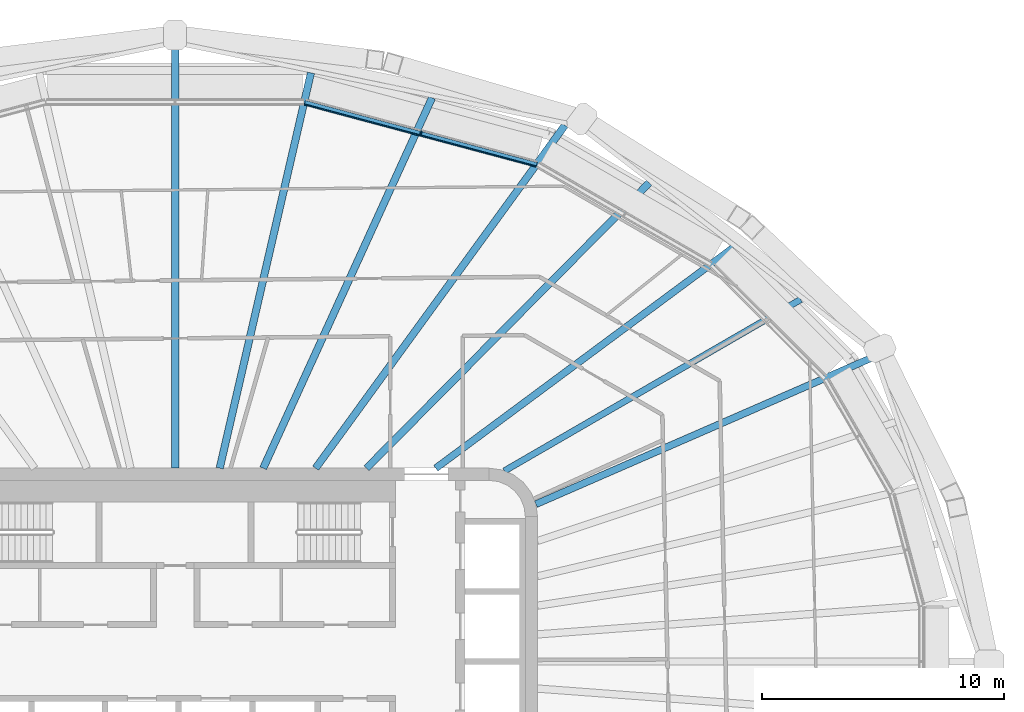
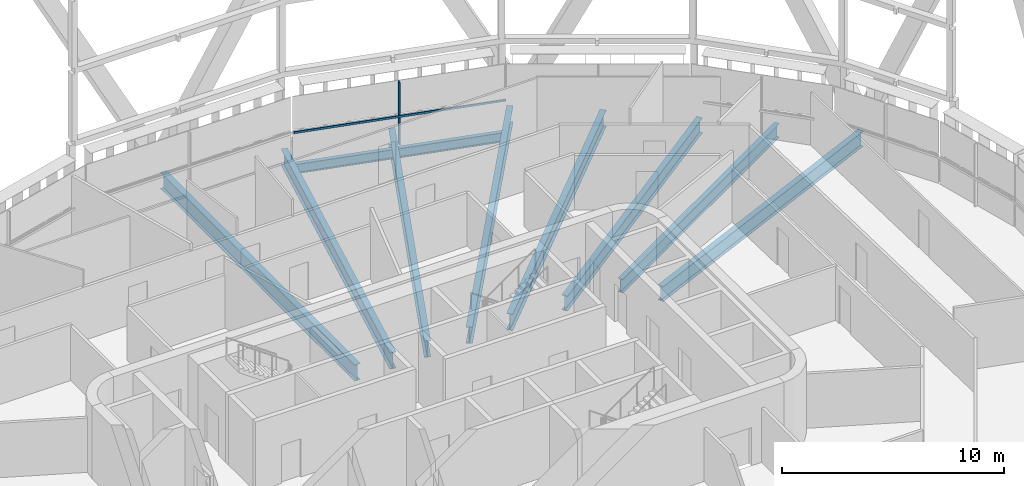
# One storey, part 7 of 25: 9 beams, 2 members, 1 element without a shape of its own.
"""IFC4 building model written with IfcOpenShell, lengths in metres."""

from ifc_helpers import new_model, si_unit, direction, frame, origin, origin_2d, place, context, subcontext, project, spatial, rectangle, i_section, extrude, material, layer, layer_set, material_profile, profile_set, type_object, element, aggregate, save


model = new_model("IFC4")

# Units and contexts
model_context = context("Model", 3, precision=1e-05, world=origin(), true_north=direction((0.0, 1.0)))
body_context = subcontext(model_context, "Body", "Model", "MODEL_VIEW")
ifc_project = project(units=[si_unit("LENGTHUNIT", "METRE"), si_unit("AREAUNIT", "SQUARE_METRE"), si_unit("VOLUMEUNIT", "CUBIC_METRE"), si_unit("PLANEANGLEUNIT", "RADIAN"), si_unit("MASSUNIT", "GRAM", prefix="KILO")], contexts=[model_context])

# Site, building, storey
site_placement = place(None, origin())
site = spatial("IfcSite", under=ifc_project, at=site_placement, CompositionType="ELEMENT")
building_placement = place(site_placement, origin())
building = spatial("IfcBuilding", under=site, at=building_placement, Name="Sahrelin Media Tower", CompositionType="ELEMENT")
storey_placement = place(building_placement, frame((0.0, 0.0, 181.60009765625)))
storey = spatial("IfcBuildingStorey", under=building, at=storey_placement, Name="L38", CompositionType="ELEMENT", Elevation=181.60009765625)

# Beam
ifc_material_1 = material(Name="Steel S355", Category="steel")
ifc_material_profile_1 = material_profile(ifc_material_1, i_section(OverallWidth=0.208740234375, OverallDepth=0.5283203125, WebThickness=0.009521484375, FlangeThickness=0.01318359375, FilletRadius=0.0126953125, at=origin_2d()), Name="UB 533x210x82")
ifc_profile_set_1 = profile_set([ifc_material_profile_1], Name="Steel S355")
beam_type_1 = type_object("IfcBeamType", Name="Edge beam EB6", PredefinedType="BEAM", material=ifc_profile_set_1)
beam_1_placement = place(storey_placement, frame((5.36572265625, 23.1201171875, -0.414306640625), z_axis=(0.965925570778, -0.258819998681, 0.0), x_axis=(0.258819998681, 0.965925570778, 0.0)))
element("IfcBeam", 1, at=beam_1_placement, inside=storey, type_object=beam_type_1, Name="Edge beam L38-20", PredefinedType="BEAM", context=body_context, shape_type="SweptSolid", body=[
    extrude(i_section(OverallWidth=0.208740234375, OverallDepth=0.5283203125, WebThickness=0.009521484375, FlangeThickness=0.01318359375, FilletRadius=0.0126953125, at=origin_2d()), origin(), (0.0, 0.0, 1.0), 9.9375),
])

# Curtain wall, member
ifc_material_2 = material(Name="Champagne anodised aluminium 6063-T6", Category="aluminium")
ifc_layer = layer(ifc_material_2, 0.14990234375)
ifc_layer_set = layer_set([ifc_layer], Name="Tower ribbon curtain wall")
curtain_wall_type = type_object("IfcCurtainWallType", Name="Tower ribbon curtain wall", PredefinedType="NOTDEFINED", material=ifc_layer_set)
curtain_wall_placement = place(storey_placement, frame((10.203857421875, 21.97900390625, 0.0), z_axis=(0.0, 0.0, 1.0), x_axis=(1.0, 0.0, 0.0)))
curtain_wall = element("IfcCurtainWall", 2, at=curtain_wall_placement, inside=storey, type_object=curtain_wall_type, Name="L38:CW:L38-05", PredefinedType="NOTDEFINED")
ifc_material_profile_2 = material_profile(ifc_material_2, rectangle(XDim=0.06005859375, YDim=0.175048828125, at=origin_2d()), Name="Mullion 60x175")
ifc_profile_set_2 = profile_set([ifc_material_profile_2], Name="Champagne anodised aluminium 6063-T6")
member_type_1 = type_object("IfcMemberType", Name="Mullion 60x175 CW1B", PredefinedType="MULLION", material=ifc_profile_set_2)
member_1_placement = place(storey_placement, frame((10.176025390625, 21.875, 0.0), z_axis=(0.0, 0.0, 1.0), x_axis=(-0.965927181449, 0.258813987523, 0.0)))
member_1 = element("IfcMember", 3, at=member_1_placement, type_object=member_type_1, Name="L38:CWM:L38-05", PredefinedType="MULLION", context=body_context, shape_type="SweptSolid", body=[
    extrude(rectangle(XDim=0.06005859375, YDim=0.175048828125, at=origin_2d()), origin(), (0.0, 0.0, 1.0), 3.448486328125),
])

# Beams
ifc_material_profile_3 = material_profile(ifc_material_1, i_section(OverallWidth=0.291748046875, OverallDepth=0.8349609375, WebThickness=0.013916015625, FlangeThickness=0.018798828125, FilletRadius=0.017822265625, at=origin_2d()), Name="UB 838x292x176")
ifc_profile_set_3 = profile_set([ifc_material_profile_3], Name="Steel S355")
beam_type_2 = type_object("IfcBeamType", Name="Radial primary beam PB10", PredefinedType="BEAM", material=ifc_profile_set_3)
beam_2_placement = place(storey_placement, frame((14.932861328125, 6.509765625, -0.567626953125), z_axis=(0.916683907523, 0.399613079977, 0.0), x_axis=(-0.399613079977, 0.916683907523, 0.0)))
element("IfcBeam", 4, at=beam_2_placement, inside=storey, type_object=beam_type_2, Name="Radial beam L38-03", PredefinedType="BEAM", context=body_context, shape_type="SweptSolid", body=[
    extrude(i_section(OverallWidth=0.291748046875, OverallDepth=0.8349609375, WebThickness=0.013916015625, FlangeThickness=0.018798828125, FilletRadius=0.017822265625, at=origin_2d()), origin(), (0.0, 0.0, 1.0), 15.21484375),
])
beam_3_placement = place(storey_placement, frame((10.790283203125, 8.0, -0.567626953125), z_axis=(0.803305203739, 0.595567586128, 0.0), x_axis=(-0.595567586128, 0.803305203739, 0.0)))
element("IfcBeam", 5, at=beam_3_placement, inside=storey, type_object=beam_type_2, Name="Radial beam L38-04", PredefinedType="BEAM", context=body_context, shape_type="SweptSolid", body=[
    extrude(i_section(OverallWidth=0.291748046875, OverallDepth=0.8349609375, WebThickness=0.013916015625, FlangeThickness=0.018798828125, FilletRadius=0.017822265625, at=origin_2d()), origin(), (0.0, 0.0, 1.0), 15.3310546875),
])
ifc_material_profile_4 = material_profile(ifc_material_1, i_section(OverallWidth=0.30322265625, OverallDepth=0.903076171875, WebThickness=0.01513671875, FlangeThickness=0.020263671875, FilletRadius=0.01904296875, at=origin_2d()), Name="UB 914x305x201")
ifc_profile_set_4 = profile_set([ifc_material_profile_4], Name="Steel S355")
beam_type_3 = type_object("IfcBeamType", Name="Radial primary beam PB11", PredefinedType="BEAM", material=ifc_profile_set_4)
beam_4_placement = place(storey_placement, frame((5.815673828125, 8.0, -0.6015625), z_axis=(0.588003751715, 0.808858200162, 0.0), x_axis=(-0.808858200162, 0.588003751715, 0.0)))
element("IfcBeam", 6, at=beam_4_placement, inside=storey, type_object=beam_type_3, Name="Radial beam L38-05", PredefinedType="BEAM", context=body_context, shape_type="SweptSolid", body=[
    extrude(i_section(OverallWidth=0.30322265625, OverallDepth=0.903076171875, WebThickness=0.01513671875, FlangeThickness=0.020263671875, FilletRadius=0.01904296875, at=origin_2d()), origin(), (0.0, 0.0, 1.0), 17.547607421875),
])
beam_5_placement = place(storey_placement, frame((1.84619140625, 8.0, -0.6015625), z_axis=(0.224883929882, 0.974385559253, 0.0), x_axis=(-0.974385559253, 0.224883929882, 0.0)))
element("IfcBeam", 7, at=beam_5_placement, inside=storey, type_object=beam_type_3, Name="Radial beam L38-06", PredefinedType="BEAM", context=body_context, shape_type="SweptSolid", body=[
    extrude(i_section(OverallWidth=0.30322265625, OverallDepth=0.903076171875, WebThickness=0.01513671875, FlangeThickness=0.020263671875, FilletRadius=0.01904296875, at=origin_2d()), origin(), (0.0, 0.0, 1.0), 16.79150390625),
])
ifc_material_profile_5 = material_profile(ifc_material_1, i_section(OverallWidth=0.30322265625, OverallDepth=0.903076171875, WebThickness=0.01513671875, FlangeThickness=0.020263671875, FilletRadius=0.01904296875, at=origin_2d()), Name="UB 914x305x201")
ifc_profile_set_5 = profile_set([ifc_material_profile_5], Name="Steel S355")
beam_type_4 = type_object("IfcBeamType", Name="Radial secondary beam SB11", PredefinedType="BEAM", material=ifc_profile_set_5)
beam_6_placement = place(storey_placement, frame((7.92529296875, 8.0, -0.6015625), z_axis=(0.703779898359, 0.710418084416, 0.0), x_axis=(-0.710418084416, 0.703779898359, 0.0)))
element("IfcBeam", 8, at=beam_6_placement, inside=storey, type_object=beam_type_4, Name="Secondary beam L38-04", PredefinedType="BEAM", context=body_context, shape_type="SweptSolid", body=[
    extrude(i_section(OverallWidth=0.30322265625, OverallDepth=0.903076171875, WebThickness=0.01513671875, FlangeThickness=0.020263671875, FilletRadius=0.01904296875, at=origin_2d()), origin(), (0.0, 0.0, 1.0), 16.623779296875),
])
beam_7_placement = place(storey_placement, frame((3.646728515625, 8.0, -0.6015625), z_axis=(0.414778908088, 0.90992222602, 0.0), x_axis=(-0.90992222602, 0.414778908088, 0.0)))
element("IfcBeam", 9, at=beam_7_placement, inside=storey, type_object=beam_type_4, Name="Secondary beam L38-05", PredefinedType="BEAM", context=body_context, shape_type="SweptSolid", body=[
    extrude(i_section(OverallWidth=0.30322265625, OverallDepth=0.903076171875, WebThickness=0.01513671875, FlangeThickness=0.020263671875, FilletRadius=0.01904296875, at=origin_2d()), origin(), (0.0, 0.0, 1.0), 16.84521484375),
])
beam_8_placement = place(storey_placement, frame((0.0, 8.0, -0.6015625), z_axis=(0.0, 1.0, 0.0), x_axis=(-1.0, 0.0, 0.0)))
element("IfcBeam", 10, at=beam_8_placement, inside=storey, type_object=beam_type_4, Name="Secondary beam L38-06", PredefinedType="BEAM", context=body_context, shape_type="SweptSolid", body=[
    extrude(i_section(OverallWidth=0.30322265625, OverallDepth=0.903076171875, WebThickness=0.01513671875, FlangeThickness=0.020263671875, FilletRadius=0.01904296875, at=origin_2d()), origin(), (0.0, 0.0, 1.0), 17.52099609375),
])
ifc_material_profile_6 = material_profile(ifc_material_1, i_section(OverallWidth=0.26513671875, OverallDepth=0.75390625, WebThickness=0.0126953125, FlangeThickness=0.017578125, FilletRadius=0.0166015625, at=origin_2d()), Name="UB 762x267x147")
ifc_profile_set_6 = profile_set([ifc_material_profile_6], Name="Steel S355")
beam_type_5 = type_object("IfcBeamType", Name="Radial secondary beam SB9", PredefinedType="BEAM", material=ifc_profile_set_6)
beam_9_placement = place(storey_placement, frame((13.62890625, 7.8857421875, -0.527099609375), z_axis=(0.865557960624, 0.500808762704, 0.0), x_axis=(-0.500808762704, 0.865557960624, 0.0)))
element("IfcBeam", 11, at=beam_9_placement, inside=storey, type_object=beam_type_5, Name="Secondary beam L38-03", PredefinedType="BEAM", context=body_context, shape_type="SweptSolid", body=[
    extrude(i_section(OverallWidth=0.26513671875, OverallDepth=0.75390625, WebThickness=0.0126953125, FlangeThickness=0.017578125, FilletRadius=0.0166015625, at=origin_2d()), origin(), (0.0, 0.0, 1.0), 14.171875),
])

# Member
ifc_material_profile_7 = material_profile(ifc_material_2, rectangle(XDim=0.050048828125, YDim=0.110107421875, at=origin_2d()), Name="Transom 50x110")
ifc_profile_set_7 = profile_set([ifc_material_profile_7], Name="Champagne anodised aluminium 6063-T6")
member_type_2 = type_object("IfcMemberType", Name="Transom 50x110 CW1B", PredefinedType="USERDEFINED", material=ifc_profile_set_7)
member_2_placement = place(storey_placement, frame((14.931396484375, 20.484619140625, 1.599853515625), z_axis=(-0.965930340572, 0.258802196983, 0.0), x_axis=(-0.258802196983, -0.965930340572, 0.0)))
member_2 = element("IfcMember", 12, at=member_2_placement, type_object=member_type_2, Name="L38:CWT:L38-05", ObjectType="TRANSOM", PredefinedType="USERDEFINED", context=body_context, shape_type="SweptSolid", body=[
    extrude(rectangle(XDim=0.050048828125, YDim=0.110107421875, at=origin_2d()), origin(), (0.0, 0.0, 1.0), 9.906005859375),
])

aggregate(curtain_wall, [member_1, member_2])

save(model, "model.ifc")
